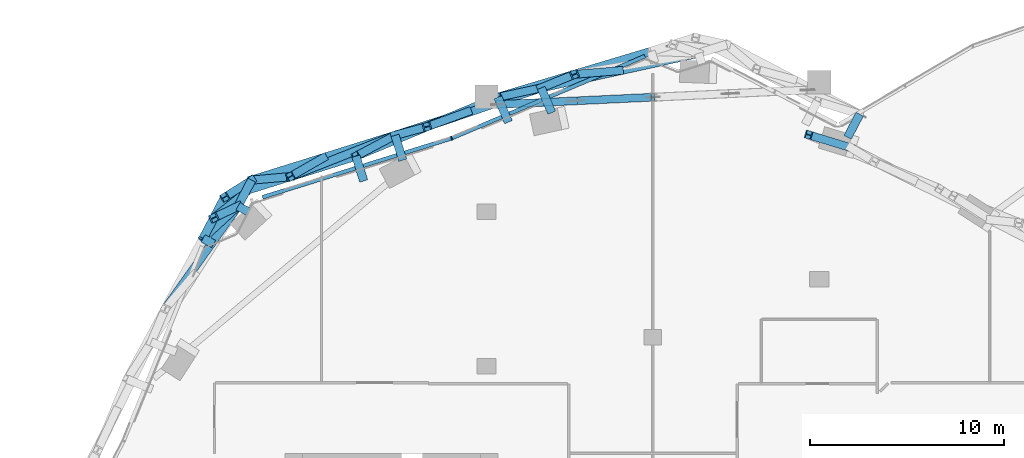
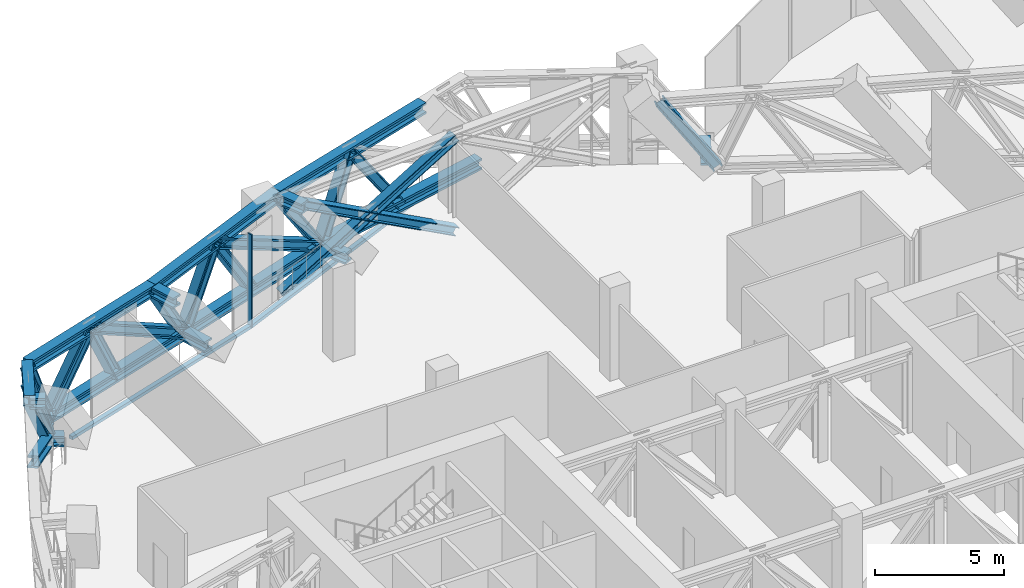
# One storey, part 11 of 31: 38 members, 2 elements without a shape of their own.
"""IFC4 building model written with IfcOpenShell, lengths in metres."""

from ifc_helpers import new_model, si_unit, direction, frame, origin, origin_2d, place, context, subcontext, project, spatial, rectangle, i_section, extrude, material, material_profile, profile_set, type_object, element, aggregate, save


model = new_model("IFC4")

# Units and contexts
model_context = context("Model", 3, precision=1e-05, world=origin(), true_north=direction((0.0, 1.0)))
body_context = subcontext(model_context, "Body", "Model", "MODEL_VIEW")
ifc_project = project(units=[si_unit("LENGTHUNIT", "METRE"), si_unit("AREAUNIT", "SQUARE_METRE"), si_unit("VOLUMEUNIT", "CUBIC_METRE"), si_unit("PLANEANGLEUNIT", "RADIAN"), si_unit("MASSUNIT", "GRAM", prefix="KILO")], contexts=[model_context])

# Site, building, storey
site_placement = place(None, origin())
site = spatial("IfcSite", under=ifc_project, at=site_placement, CompositionType="ELEMENT")
building_placement = place(site_placement, origin())
building = spatial("IfcBuilding", under=site, at=building_placement, Name="Orlundy Tower", CompositionType="ELEMENT")
storey_placement = place(building_placement, frame((0.0, 0.0, 271.0)))
storey = spatial("IfcBuildingStorey", under=building, at=storey_placement, Name="L72", CompositionType="ELEMENT", Elevation=271.0)

# Members
ifc_material_1 = material(Name="Steel ASTM A992 Gr 50", Category="steel")
ifc_material_profile_1 = material_profile(ifc_material_1, i_section(OverallWidth=0.4423828125, OverallDepth=0.531494140625, WebThickness=0.06591796875, FlangeThickness=0.105712890625, at=origin_2d()), Name="W14X605")
ifc_profile_set_1 = profile_set([ifc_material_profile_1], Name="Steel ASTM A992 Gr 50")
member_type_1 = type_object("IfcMemberType", Name="BELT TRUSS chord W14X605", PredefinedType="CHORD", material=ifc_profile_set_1)
member_1_placement = place(storey_placement, frame((2.35888671875, 32.673583984375, 0.28466796875), z_axis=(-0.976729810234, -0.214473489738, 0.0), x_axis=(0.214473489738, -0.976729810234, 0.0)))
element("IfcMember", 1, at=member_1_placement, inside=storey, type_object=member_type_1, Name="Belt truss bottom chord BT-18A", PredefinedType="CHORD", context=body_context, shape_type="SweptSolid", body=[
    extrude(i_section(OverallWidth=0.4423828125, OverallDepth=0.531494140625, WebThickness=0.06591796875, FlangeThickness=0.105712890625, at=origin_2d()), origin(), (0.0, 0.0, 1.0), 8.324462890625),
])
member_2_placement = place(storey_placement, frame((-0.092529296875, 32.773193359375, 3.71533203125), z_axis=(-0.957894571496, -0.287120166304, 0.0), x_axis=(0.287120166304, -0.957894571496, 0.0)))
element("IfcMember", 2, at=member_2_placement, inside=storey, type_object=member_type_1, Name="Belt truss top chord BT-18A", PredefinedType="CHORD", context=body_context, shape_type="SweptSolid", body=[
    extrude(i_section(OverallWidth=0.4423828125, OverallDepth=0.531494140625, WebThickness=0.06591796875, FlangeThickness=0.105712890625, at=origin_2d()), origin(), (0.0, 0.0, 1.0), 8.262451171875),
])
member_3_placement = place(storey_placement, frame((-5.77197265625, 30.88818359375, 0.28466796875), z_axis=(-0.951027515085, -0.309106236675, 0.0), x_axis=(0.309106236675, -0.951027515085, 0.0)))
element("IfcMember", 3, at=member_3_placement, inside=storey, type_object=member_type_1, Name="Belt truss bottom chord BT-19A", PredefinedType="CHORD", context=body_context, shape_type="SweptSolid", body=[
    extrude(i_section(OverallWidth=0.4423828125, OverallDepth=0.531494140625, WebThickness=0.06591796875, FlangeThickness=0.105712890625, at=origin_2d()), origin(), (0.0, 0.0, 1.0), 7.939453125),
])
member_4_placement = place(storey_placement, frame((-8.007080078125, 30.40087890625, 3.71533203125), z_axis=(-0.923740521573, -0.383018862205, 0.0), x_axis=(0.383018862205, -0.923740521573, 0.0)))
element("IfcMember", 4, at=member_4_placement, inside=storey, type_object=member_type_1, Name="Belt truss top chord BT-19A", PredefinedType="CHORD", context=body_context, shape_type="SweptSolid", body=[
    extrude(i_section(OverallWidth=0.4423828125, OverallDepth=0.531494140625, WebThickness=0.06591796875, FlangeThickness=0.105712890625, at=origin_2d()), origin(), (0.0, 0.0, 1.0), 7.940185546875),
])
member_5_placement = place(storey_placement, frame((-13.322509765625, 28.43408203125, 0.28466796875), z_axis=(-0.954567293311, -0.297995440471, 0.0), x_axis=(0.297995440471, -0.954567293311, 0.0)))
element("IfcMember", 5, at=member_5_placement, inside=storey, type_object=member_type_1, Name="Belt truss bottom chord BT-20A", PredefinedType="CHORD", context=body_context, shape_type="SweptSolid", body=[
    extrude(i_section(OverallWidth=0.4423828125, OverallDepth=0.531494140625, WebThickness=0.06591796875, FlangeThickness=0.105712890625, at=origin_2d()), origin(), (0.0, 0.0, 1.0), 7.7578125),
])
member_6_placement = place(storey_placement, frame((-15.341796875, 27.359619140625, 3.71533203125), z_axis=(-0.954573529097, -0.297975464674, 0.0), x_axis=(0.297975464674, -0.954573529097, 0.0)))
element("IfcMember", 6, at=member_6_placement, inside=storey, type_object=member_type_1, Name="Belt truss top chord BT-20A", PredefinedType="CHORD", context=body_context, shape_type="SweptSolid", body=[
    extrude(i_section(OverallWidth=0.4423828125, OverallDepth=0.531494140625, WebThickness=0.06591796875, FlangeThickness=0.105712890625, at=origin_2d()), origin(), (0.0, 0.0, 1.0), 7.10107421875),
])
member_7_placement = place(storey_placement, frame((-20.727783203125, 26.122314453125, 0.28466796875), z_axis=(-0.464294127292, -0.885681073165, 0.0), x_axis=(0.885681073165, -0.464294127292, 0.0)))
element("IfcMember", 7, at=member_7_placement, inside=storey, type_object=member_type_1, Name="Belt truss bottom chord BT-20B", PredefinedType="CHORD", context=body_context, shape_type="SweptSolid", body=[
    extrude(i_section(OverallWidth=0.4423828125, OverallDepth=0.531494140625, WebThickness=0.06591796875, FlangeThickness=0.105712890625, at=origin_2d()), origin(), (0.0, 0.0, 1.0), 1.52490234375),
])
member_8_placement = place(storey_placement, frame((-22.120361328125, 25.24365234375, 3.71533203125), z_axis=(-0.464275793743, -0.885690683786, 0.0), x_axis=(0.885690683786, -0.464275793743, 0.0)))
element("IfcMember", 8, at=member_8_placement, inside=storey, type_object=member_type_1, Name="Belt truss top chord BT-20B", PredefinedType="CHORD", context=body_context, shape_type="SweptSolid", body=[
    extrude(i_section(OverallWidth=0.4423828125, OverallDepth=0.531494140625, WebThickness=0.06591796875, FlangeThickness=0.105712890625, at=origin_2d()), origin(), (0.0, 0.0, 1.0), 2.409423828125),
])
ifc_material_2 = material(Name="Steel ASTM A992 Gr 50", Category="steel")
ifc_material_profile_2 = material_profile(ifc_material_2, i_section(OverallWidth=0.42431640625, OverallDepth=0.47412109375, WebThickness=0.0478515625, FlangeThickness=0.0771484375, at=origin_2d()), Name="W14X426")
ifc_profile_set_2 = profile_set([ifc_material_profile_2], Name="Steel ASTM A992 Gr 50")
member_type_2 = type_object("IfcMemberType", Name="BELT TRUSS diagonal W14X426", PredefinedType="BRACE", material=ifc_profile_set_2)
member_9_placement = place(storey_placement, frame((-4.0498046875, 31.587158203125, 3.71533203125), z_axis=(-0.441380127043, -0.179142515413, -0.879256244005), x_axis=(0.37607401473, -0.926589626234, 0.0)))
element("IfcMember", 9, at=member_9_placement, inside=storey, type_object=member_type_2, Name="Belt truss diagonal BT-18A-1", PredefinedType="BRACE", context=body_context, shape_type="SweptSolid", body=[
    extrude(i_section(OverallWidth=0.42431640625, OverallDepth=0.47412109375, WebThickness=0.0478515625, FlangeThickness=0.0771484375, at=origin_2d()), origin(), (0.0, 0.0, 1.0), 3.90185546875),
])
member_10_placement = place(storey_placement, frame((-5.77197265625, 30.88818359375, 0.28466796875), z_axis=(-0.829438878886, -0.282151941593, 0.482101055845), x_axis=(0.322048753109, -0.946723085501, 0.0)))
element("IfcMember", 10, at=member_10_placement, inside=storey, type_object=member_type_2, Name="Belt truss diagonal BT-19A-0", PredefinedType="BRACE", context=body_context, shape_type="SweptSolid", body=[
    extrude(i_section(OverallWidth=0.42431640625, OverallDepth=0.47412109375, WebThickness=0.0478515625, FlangeThickness=0.0771484375, at=origin_2d()), origin(), (0.0, 0.0, 1.0), 7.115966796875),
])
member_11_placement = place(storey_placement, frame((-11.67431640625, 28.88037109375, 3.71533203125), z_axis=(-0.430099218333, -0.116459986834, -0.89523836706), x_axis=(0.261362747712, -0.965240650878, 0.0)))
element("IfcMember", 11, at=member_11_placement, inside=storey, type_object=member_type_2, Name="Belt truss diagonal BT-19A-1", PredefinedType="BRACE", context=body_context, shape_type="SweptSolid", body=[
    extrude(i_section(OverallWidth=0.42431640625, OverallDepth=0.47412109375, WebThickness=0.0478515625, FlangeThickness=0.0771484375, at=origin_2d()), origin(), (0.0, 0.0, 1.0), 3.83203125),
])
member_12_placement = place(storey_placement, frame((-13.322509765625, 28.43408203125, 0.28466796875), z_axis=(-0.801206920599, -0.315882329459, 0.508218284126), x_axis=(0.366781179142, -0.930307243134, 0.0)))
element("IfcMember", 12, at=member_12_placement, inside=storey, type_object=member_type_2, Name="Belt truss diagonal BT-20A-0", PredefinedType="BRACE", context=body_context, shape_type="SweptSolid", body=[
    extrude(i_section(OverallWidth=0.42431640625, OverallDepth=0.47412109375, WebThickness=0.0478515625, FlangeThickness=0.0771484375, at=origin_2d()), origin(), (0.0, 0.0, 1.0), 6.75048828125),
])
member_13_placement = place(storey_placement, frame((-18.73095703125, 26.3017578125, 3.71533203125), z_axis=(-0.502531572515, -0.045159641252, -0.863378610708), x_axis=(0.089503616027, -0.995986497257, 0.0)))
element("IfcMember", 13, at=member_13_placement, inside=storey, type_object=member_type_2, Name="Belt truss diagonal BT-20A-1", PredefinedType="BRACE", context=body_context, shape_type="SweptSolid", body=[
    extrude(i_section(OverallWidth=0.42431640625, OverallDepth=0.47412109375, WebThickness=0.0478515625, FlangeThickness=0.0771484375, at=origin_2d()), origin(), (0.0, 0.0, 1.0), 3.9736328125),
])
member_14_placement = place(storey_placement, frame((-20.727783203125, 26.122314453125, 0.28466796875), z_axis=(-0.443551303999, -0.442164339321, 0.779585106165), x_axis=(0.705998639077, -0.708213189387, 0.0)))
element("IfcMember", 14, at=member_14_placement, inside=storey, type_object=member_type_2, Name="Belt truss diagonal BT-20B-0", PredefinedType="BRACE", context=body_context, shape_type="SweptSolid", body=[
    extrude(i_section(OverallWidth=0.42431640625, OverallDepth=0.47412109375, WebThickness=0.0478515625, FlangeThickness=0.0771484375, at=origin_2d()), origin(), (0.0, 0.0, 1.0), 4.400634765625),
])
member_15_placement = place(storey_placement, frame((-22.6796875, 24.176513671875, 3.71533203125), z_axis=(0.336421590063, 0.160980537109, -0.927850085095), x_axis=(-0.431637164575, 0.902047314811, 0.0)))
element("IfcMember", 15, at=member_15_placement, inside=storey, type_object=member_type_2, Name="Belt truss diagonal BT-20B-1", PredefinedType="BRACE", context=body_context, shape_type="SweptSolid", body=[
    extrude(i_section(OverallWidth=0.42431640625, OverallDepth=0.47412109375, WebThickness=0.0478515625, FlangeThickness=0.0771484375, at=origin_2d()), origin(), (0.0, 0.0, 1.0), 3.697509765625),
])
member_16_placement = place(storey_placement, frame((-21.435791015625, 24.771728515625, 0.28466796875), z_axis=(-0.511990145843, -0.721097909944, 0.466780349665), x_axis=(0.815377310828, -0.578929910254, 0.0)))
element("IfcMember", 16, at=member_16_placement, inside=storey, type_object=member_type_2, Name="Belt truss diagonal BT-21A-0", PredefinedType="BRACE", context=body_context, shape_type="SweptSolid", body=[
    extrude(i_section(OverallWidth=0.42431640625, OverallDepth=0.47412109375, WebThickness=0.0478515625, FlangeThickness=0.0771484375, at=origin_2d()), origin(), (0.0, 0.0, 1.0), 7.349609375),
])
ifc_material_3 = material(Name="Steel ASTM A992 Gr 50", Category="steel")
ifc_material_profile_3 = material_profile(ifc_material_3, i_section(OverallWidth=0.412109375, OverallDepth=0.434814453125, WebThickness=0.035888671875, FlangeThickness=0.057373046875, at=origin_2d()), Name="W14X311")
ifc_profile_set_3 = profile_set([ifc_material_profile_3], Name="Steel ASTM A992 Gr 50")
member_type_3 = type_object("IfcMemberType", Name="BELT TRUSS post W14X311", PredefinedType="POST", material=ifc_profile_set_3)
member_17_placement = place(storey_placement, frame((10.232177734375, 27.7939453125, 0.28466796875), z_axis=(-0.530576827341, 0.161997344002, 0.832012674678), x_axis=(-0.29201516071, -0.956413689737, 0.0)))
element("IfcMember", 17, at=member_17_placement, inside=storey, type_object=member_type_3, Name="Belt truss post BT-16-2", PredefinedType="POST", context=body_context, shape_type="SweptSolid", body=[
    extrude(i_section(OverallWidth=0.412109375, OverallDepth=0.434814453125, WebThickness=0.035888671875, FlangeThickness=0.057373046875, at=origin_2d()), origin(), (0.0, 0.0, 1.0), 4.123291015625),
])
member_18_placement = place(storey_placement, frame((-1.70654296875, 31.781005859375, 0.28466796875), z_axis=(-0.563409288132, -0.04660835328, 0.824862191794), x_axis=(0.08244394545, -0.996595703311, 0.0)))
element("IfcMember", 18, at=member_18_placement, inside=storey, type_object=member_type_3, Name="Belt truss post BT-18A-1", PredefinedType="POST", context=body_context, shape_type="SweptSolid", body=[
    extrude(i_section(OverallWidth=0.412109375, OverallDepth=0.434814453125, WebThickness=0.035888671875, FlangeThickness=0.057373046875, at=origin_2d()), origin(), (0.0, 0.0, 1.0), 4.1591796875),
])
member_19_placement = place(storey_placement, frame((-5.77197265625, 30.88818359375, 0.28466796875), z_axis=(-0.542051296481, -0.11817961636, 0.83199397249), x_axis=(0.213018893299, -0.977048080238, 0.0)))
element("IfcMember", 19, at=member_19_placement, inside=storey, type_object=member_type_3, Name="Belt truss post BT-18A-2", PredefinedType="POST", context=body_context, shape_type="SweptSolid", body=[
    extrude(i_section(OverallWidth=0.412109375, OverallDepth=0.434814453125, WebThickness=0.035888671875, FlangeThickness=0.057373046875, at=origin_2d()), origin(), (0.0, 0.0, 1.0), 4.12353515625),
])
member_20_placement = place(storey_placement, frame((-9.547119140625, 29.6611328125, 0.28466796875), z_axis=(-0.517383837044, -0.189899404438, 0.834417270531), x_axis=(0.344561713767, -0.938763668559, 0.0)))
element("IfcMember", 20, at=member_20_placement, inside=storey, type_object=member_type_3, Name="Belt truss post BT-19A-1", PredefinedType="POST", context=body_context, shape_type="SweptSolid", body=[
    extrude(i_section(OverallWidth=0.412109375, OverallDepth=0.434814453125, WebThickness=0.035888671875, FlangeThickness=0.057373046875, at=origin_2d()), origin(), (0.0, 0.0, 1.0), 4.111328125),
])
member_21_placement = place(storey_placement, frame((-13.322509765625, 28.43408203125, 0.28466796875), z_axis=(-0.489728221646, -0.260584440027, 0.832022847366), x_axis=(0.469740417272, -0.882804587879, 0.0)))
element("IfcMember", 21, at=member_21_placement, inside=storey, type_object=member_type_3, Name="Belt truss post BT-19A-2", PredefinedType="POST", context=body_context, shape_type="SweptSolid", body=[
    extrude(i_section(OverallWidth=0.412109375, OverallDepth=0.434814453125, WebThickness=0.035888671875, FlangeThickness=0.057373046875, at=origin_2d()), origin(), (0.0, 0.0, 1.0), 4.123291015625),
])
member_22_placement = place(storey_placement, frame((-17.025146484375, 27.2783203125, 0.28466796875), z_axis=(-0.431430401019, -0.246990354097, 0.867677113943), x_axis=(0.496834347233, -0.867845396029, 0.0)))
element("IfcMember", 22, at=member_22_placement, inside=storey, type_object=member_type_3, Name="Belt truss post BT-20A-1", PredefinedType="POST", context=body_context, shape_type="SweptSolid", body=[
    extrude(i_section(OverallWidth=0.412109375, OverallDepth=0.434814453125, WebThickness=0.035888671875, FlangeThickness=0.057373046875, at=origin_2d()), origin(), (0.0, 0.0, 1.0), 3.953857421875),
])
member_23_placement = place(storey_placement, frame((-20.727783203125, 26.122314453125, 0.28466796875), z_axis=(-0.365951589962, -0.230901082096, 0.901534316646), x_axis=(0.533619184555, -0.845724875994, 0.0)))
element("IfcMember", 23, at=member_23_placement, inside=storey, type_object=member_type_3, Name="Belt truss post BT-20A-2", PredefinedType="POST", context=body_context, shape_type="SweptSolid", body=[
    extrude(i_section(OverallWidth=0.412109375, OverallDepth=0.434814453125, WebThickness=0.035888671875, FlangeThickness=0.057373046875, at=origin_2d()), origin(), (0.0, 0.0, 1.0), 3.805419921875),
])
member_24_placement = place(storey_placement, frame((-21.081787109375, 25.447021484375, 0.28466796875), z_axis=(-0.40026475251, -0.318254816205, 0.85936139072), x_axis=(0.622358748346, -0.782732130654, 0.0)))
element("IfcMember", 24, at=member_24_placement, inside=storey, type_object=member_type_3, Name="Belt truss post BT-20B-1", PredefinedType="POST", context=body_context, shape_type="SweptSolid", body=[
    extrude(i_section(OverallWidth=0.412109375, OverallDepth=0.434814453125, WebThickness=0.035888671875, FlangeThickness=0.057373046875, at=origin_2d()), origin(), (0.0, 0.0, 1.0), 3.9921875),
])
member_25_placement = place(storey_placement, frame((-21.435791015625, 24.771728515625, 0.28466796875), z_axis=(-0.427600883231, -0.394138479967, 0.81351849596), x_axis=(0.677750678586, -0.73529179084, 0.0)))
element("IfcMember", 25, at=member_25_placement, inside=storey, type_object=member_type_3, Name="Belt truss post BT-20B-2", PredefinedType="POST", context=body_context, shape_type="SweptSolid", body=[
    extrude(i_section(OverallWidth=0.412109375, OverallDepth=0.434814453125, WebThickness=0.035888671875, FlangeThickness=0.057373046875, at=origin_2d()), origin(), (0.0, 0.0, 1.0), 4.217041015625),
])
ifc_material_4 = material(Name="Steel ASTM A992 Gr 50", Category="steel")
ifc_material_profile_4 = material_profile(ifc_material_4, i_section(OverallWidth=0.43212890625, OverallDepth=0.497802734375, WebThickness=0.0556640625, FlangeThickness=0.0888671875, at=origin_2d()), Name="W14X500")
ifc_profile_set_4 = profile_set([ifc_material_profile_4], Name="Steel ASTM A992 Gr 50")
member_type_4 = type_object("IfcMemberType", Name="BELT TRUSS strut W14X500", PredefinedType="STRUT", material=ifc_profile_set_4)
member_26_placement = place(storey_placement, frame((10.061279296875, 28.3349609375, 0.28466796875), z_axis=(0.464332412347, 0.885661002215, 0.0), x_axis=(-0.885661002215, 0.464332412347, 0.0)))
element("IfcMember", 26, at=member_26_placement, inside=storey, type_object=member_type_4, Name="Belt truss bracket C-H02", PredefinedType="STRUT", context=body_context, shape_type="SweptSolid", body=[
    extrude(i_section(OverallWidth=0.43212890625, OverallDepth=0.497802734375, WebThickness=0.0556640625, FlangeThickness=0.0888671875, at=origin_2d()), origin(), (0.0, 0.0, 1.0), 1.345458984375),
])
for number, where, z_axis, x_axis, name in (
    (27, (-5.226806640625, 29.60400390625, 0.28466796875), (-0.390770046899, 0.920488332597, 0.0), (-0.920488332597, -0.390770046899, 0.0), "Belt truss bracket C-H24"),
    (28, (-7.462158203125, 29.11669921875, 3.71533203125), (-0.390621756285, 0.920551271531, 0.0), (-0.920551271531, -0.390621756285, 0.0), "Belt truss bracket C-H24"),
):
    element("IfcMember", number, at=place(storey_placement, frame(where, z_axis=z_axis, x_axis=x_axis)), inside=storey, type_object=member_type_4, Name=name, PredefinedType="STRUT", context=body_context, shape_type="SweptSolid", body=[
        extrude(i_section(OverallWidth=0.43212890625, OverallDepth=0.497802734375, WebThickness=0.0556640625, FlangeThickness=0.0888671875, at=origin_2d()), origin(), (0.0, 0.0, 1.0), 1.39501953125),
    ])
member_27_placement = place(storey_placement, frame((-12.921630859375, 27.14990234375, 0.28466796875), z_axis=(-0.29798564915, 0.954570349896, 0.0), x_axis=(-0.954570349896, -0.29798564915, 0.0)))
element("IfcMember", 29, at=member_27_placement, inside=storey, type_object=member_type_4, Name="Belt truss bracket C-H23", PredefinedType="STRUT", context=body_context, shape_type="SweptSolid", body=[
    extrude(i_section(OverallWidth=0.43212890625, OverallDepth=0.497802734375, WebThickness=0.0556640625, FlangeThickness=0.0888671875, at=origin_2d()), origin(), (0.0, 0.0, 1.0), 1.34521484375),
])
member_28_placement = place(storey_placement, frame((-14.94091796875, 26.07568359375, 3.71533203125), z_axis=(-0.298037278548, 0.954554231354, 0.0), x_axis=(-0.954554231354, -0.298037278548, 0.0)))
element("IfcMember", 30, at=member_28_placement, inside=storey, type_object=member_type_4, Name="Belt truss bracket C-H23", PredefinedType="STRUT", context=body_context, shape_type="SweptSolid", body=[
    extrude(i_section(OverallWidth=0.43212890625, OverallDepth=0.497802734375, WebThickness=0.0556640625, FlangeThickness=0.0888671875, at=origin_2d()), origin(), (0.0, 0.0, 1.0), 1.344970703125),
])
member_29_placement = place(storey_placement, frame((-20.89013671875, 24.48583984375, 0.28466796875), z_axis=(-0.885784987391, 0.46409584798, 0.0), x_axis=(-0.46409584798, -0.885784987391, 0.0)))
element("IfcMember", 31, at=member_29_placement, inside=storey, type_object=member_type_4, Name="Belt truss bracket C-H22", PredefinedType="STRUT", context=body_context, shape_type="SweptSolid", body=[
    extrude(i_section(OverallWidth=0.43212890625, OverallDepth=0.497802734375, WebThickness=0.0556640625, FlangeThickness=0.0888671875, at=origin_2d()), origin(), (0.0, 0.0, 1.0), 0.615966796875),
])
member_30_placement = place(storey_placement, frame((-22.693603515625, 22.82373046875, 3.71533203125), z_axis=(-0.885699580112, 0.464258821983, 0.0), x_axis=(-0.464258821983, -0.885699580112, 0.0)))
element("IfcMember", 32, at=member_30_placement, inside=storey, type_object=member_type_4, Name="Belt truss bracket C-H22", PredefinedType="STRUT", context=body_context, shape_type="SweptSolid", body=[
    extrude(i_section(OverallWidth=0.43212890625, OverallDepth=0.497802734375, WebThickness=0.0556640625, FlangeThickness=0.0888671875, at=origin_2d()), origin(), (0.0, 0.0, 1.0), 0.61572265625),
])

# Curtain wall, member
ifc_material_5 = material(Name="Aluminium bronze anodised", Category="aluminium")
curtain_wall_type = type_object("IfcCurtainWallType", Name="CW4 wall", PredefinedType="NOTDEFINED", material=ifc_material_5)
curtain_wall_1_placement = place(storey_placement, origin())
curtain_wall_1 = element("IfcCurtainWall", 33, at=curtain_wall_1_placement, inside=storey, type_object=curtain_wall_type, Name="CW4 run 012", PredefinedType="NOTDEFINED")
ifc_material_6 = material(Name="Aluminium bronze anodised", Category="aluminium")
ifc_material_profile_5 = material_profile(ifc_material_6, rectangle(XDim=0.199951171875, YDim=0.06005859375, at=origin_2d()), Name="CW4 mullion 60x200")
ifc_profile_set_5 = profile_set([ifc_material_profile_5], Name="Aluminium bronze anodised")
member_type_5 = type_object("IfcMemberType", Name="CW4 mullion 60x200", PredefinedType="MULLION", material=ifc_profile_set_5)
member_31_placement = place(storey_placement, frame((-10.39453125, 28.2880859375, -0.449951171875), z_axis=(0.0, 0.0, 1.0), x_axis=(-0.344761202736, 0.938690424521, 0.0)))
member_31 = element("IfcMember", 34, at=member_31_placement, type_object=member_type_5, Name="CW4 mullion 19", PredefinedType="MULLION", context=body_context, shape_type="SweptSolid", body=[
    extrude(rectangle(XDim=0.199951171875, YDim=0.06005859375, at=origin_2d()), origin(), (0.0, 0.0, 1.0), 4.449951171875),
])

curtain_wall_2_placement = place(storey_placement, origin())
curtain_wall_2 = element("IfcCurtainWall", 35, at=curtain_wall_2_placement, inside=storey, type_object=curtain_wall_type, Name="CW4 run 011", PredefinedType="NOTDEFINED")
ifc_material_7 = material(Name="Aluminium bronze anodised", Category="aluminium")
ifc_material_profile_6 = material_profile(ifc_material_7, rectangle(XDim=0.199951171875, YDim=0.14990234375, at=origin_2d()), Name="CW4 transom 200x150")
ifc_profile_set_6 = profile_set([ifc_material_profile_6], Name="Aluminium bronze anodised")
member_type_6 = type_object("IfcMemberType", Name="CW4 transom 200x150", PredefinedType="USERDEFINED", material=ifc_profile_set_6)
member_32_placement = place(storey_placement, frame((-20.17138671875, 25.236083984375, -0.375), z_axis=(0.954573941286, 0.297974144211, 0.0), x_axis=(-0.297974144211, 0.954573941286, 0.0)))
member_32 = element("IfcMember", 36, at=member_32_placement, type_object=member_type_6, Name="CW4 transom", ObjectType="TRANSOM", PredefinedType="USERDEFINED", context=body_context, shape_type="SweptSolid", body=[
    extrude(rectangle(XDim=0.199951171875, YDim=0.14990234375, at=origin_2d()), origin(), (0.0, 0.0, 1.0), 10.212158203125),
])
aggregate(curtain_wall_2, [member_32])

# Member
member_33_placement = place(storey_placement, frame((-10.366943359375, 28.2998046875, -0.375), z_axis=(0.920525682191, 0.390682055419, 0.0), x_axis=(-0.390682055419, 0.920525682191, 0.0)))
member_33 = element("IfcMember", 37, at=member_33_placement, type_object=member_type_6, Name="CW4 transom", ObjectType="TRANSOM", PredefinedType="USERDEFINED", context=body_context, shape_type="SweptSolid", body=[
    extrude(rectangle(XDim=0.199951171875, YDim=0.14990234375, at=origin_2d()), origin(), (0.0, 0.0, 1.0), 10.812255859375),
])

aggregate(curtain_wall_1, [member_31, member_33])

# Members
ifc_material_8 = material(Name="Steel ASTM A992 Gr 50", Category="steel")
ifc_material_profile_7 = material_profile(ifc_material_8, i_section(OverallWidth=0.39892578125, OverallDepth=0.393310546875, WebThickness=0.022705078125, FlangeThickness=0.03662109375, at=origin_2d()), Name="W14X193")
ifc_profile_set_7 = profile_set([ifc_material_profile_7], Name="Steel ASTM A992 Gr 50")
member_type_7 = type_object("IfcMemberType", Name="PORTAL TRUSS diagonal W14X193", PredefinedType="BRACE", material=ifc_profile_set_7)
member_34_placement = place(storey_placement, frame((-8.0, 30.030029296875, -0.734619140625), z_axis=(0.873171378079, 0.040876614196, 0.485696249641), x_axis=(-0.046762751497, 0.998906024145, 0.0)))
element("IfcMember", 38, at=member_34_placement, inside=storey, type_object=member_type_7, Name="Portal truss diagonal PF-N-0", PredefinedType="BRACE", context=body_context, shape_type="SweptSolid", body=[
    extrude(i_section(OverallWidth=0.39892578125, OverallDepth=0.393310546875, WebThickness=0.022705078125, FlangeThickness=0.03662109375, at=origin_2d()), origin(), (0.0, 0.0, 1.0), 9.162109375),
])
for number, where, z_axis, x_axis, name in (
    (39, (-8.0, 30.030029296875, 3.71533203125), (0.873160077068, 0.040876085151, -0.485716610254), (-0.046762751497, 0.998906024145, 0.0), "Portal truss diagonal PF-N-0b1"),
    (40, (-4.0, 30.21728515625, 1.490234375), (0.873182678908, 0.040877143233, -0.485675888238), (-0.046762751497, 0.998906024145, 0.0), "Portal truss diagonal PF-N-0b2"),
):
    element("IfcMember", number, at=place(storey_placement, frame(where, z_axis=z_axis, x_axis=x_axis)), inside=storey, type_object=member_type_7, Name=name, PredefinedType="BRACE", context=body_context, shape_type="SweptSolid", body=[
        extrude(i_section(OverallWidth=0.39892578125, OverallDepth=0.393310546875, WebThickness=0.022705078125, FlangeThickness=0.03662109375, at=origin_2d()), origin(), (0.0, 0.0, 1.0), 4.5810546875),
    ])

save(model, "model.ifc")
